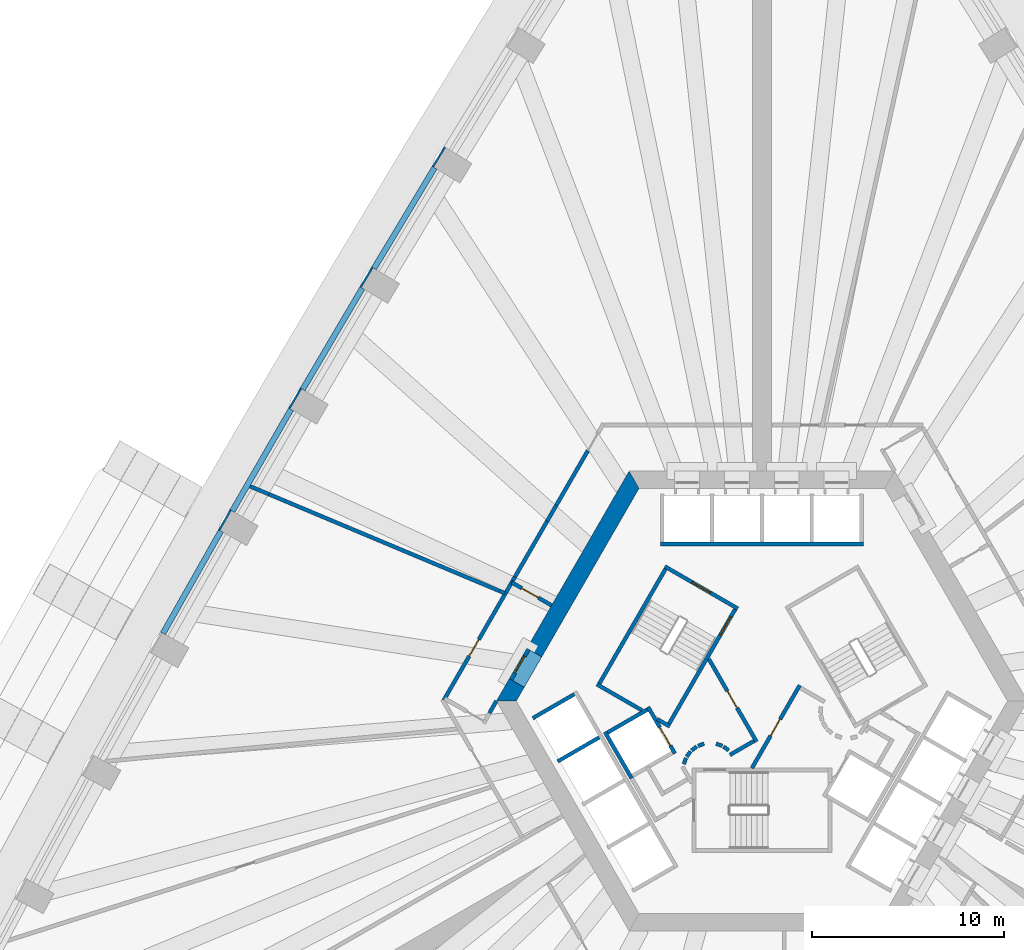
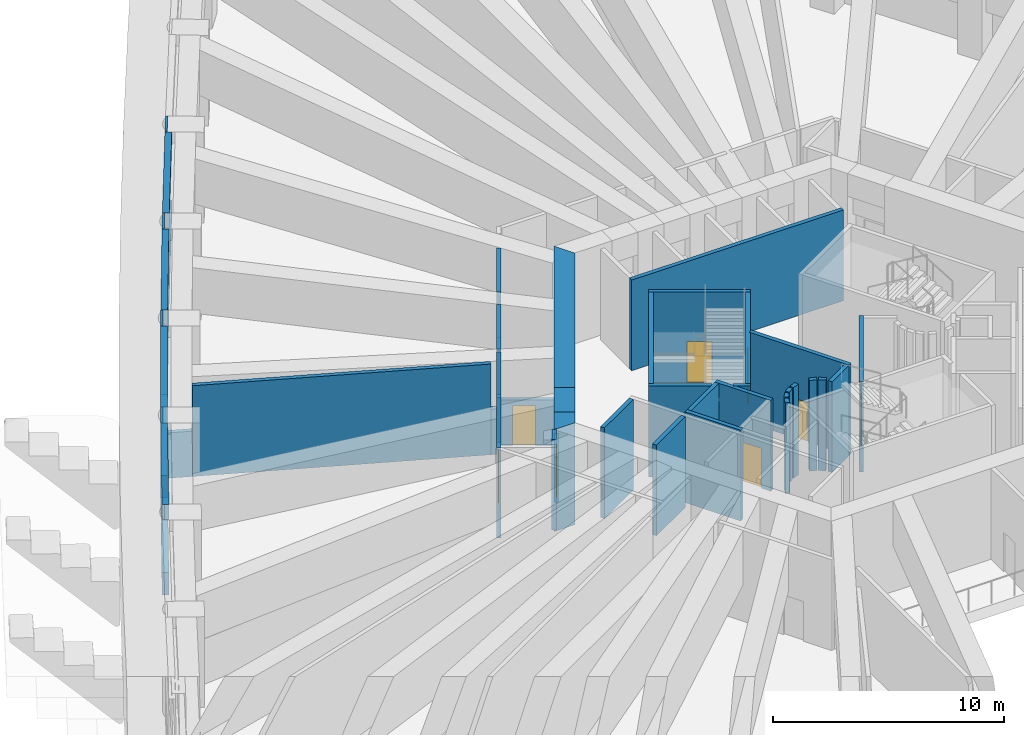
# One storey, part 7 of 21: 46 walls, 8 doors, 8 openings.
"""IFC4 building model written with IfcOpenShell, lengths in metres."""

from ifc_helpers import new_model, si_unit, direction, frame, frame_2d, origin, place, context, subcontext, project, spatial, polyline, rectangle, outline, extrude, material, layer, layer_set, type_object, element, fill, save


model = new_model("IFC4")

# Units and contexts
model_context = context("Model", 3, precision=1e-05, world=origin(), true_north=direction((0.0, 1.0)))
body_context = subcontext(model_context, "Body", "Model", "MODEL_VIEW")
ifc_project = project(units=[si_unit("LENGTHUNIT", "METRE"), si_unit("AREAUNIT", "SQUARE_METRE"), si_unit("VOLUMEUNIT", "CUBIC_METRE"), si_unit("PLANEANGLEUNIT", "RADIAN"), si_unit("MASSUNIT", "GRAM", prefix="KILO")], contexts=[model_context])

# Site, building, storey
site_placement = place(None, origin())
site = spatial("IfcSite", under=ifc_project, at=site_placement, CompositionType="ELEMENT")
building_placement = place(site_placement, origin())
building = spatial("IfcBuilding", under=site, at=building_placement, Name="Entoto Arch Interchange Tower", CompositionType="ELEMENT")
storey_placement = place(building_placement, frame((0.0, 0.0, 81.199951171875)))
storey = spatial("IfcBuildingStorey", under=building, at=storey_placement, Name="L17", CompositionType="ELEMENT", Elevation=81.199951171875)

# Wall, opening, door
ifc_material_1 = material(Name="Reinforced concrete C40/50", Category="concrete")
ifc_layer_1 = layer(ifc_material_1, 0.199951171875)
ifc_layer_set_1 = layer_set([ifc_layer_1], Name="Reinforced concrete C40/50")
wall_type_1 = type_object("IfcWallType", Name="CORE GAP INFILL WALL", PredefinedType="PARTITIONING", material=ifc_layer_set_1)
wall_1_placement = place(storey_placement, frame((-12.180908203125, 5.201904296875, 0.0), z_axis=(0.0, 0.0, 1.0), x_axis=(-0.500215337403, -0.865901042976, 0.0)))
wall_1 = element("IfcWall", 1, at=wall_1_placement, inside=storey, type_object=wall_type_1, Name="wall:L17:gap3", PredefinedType="PARTITIONING", context=body_context, shape_type="SweptSolid", body=[
    extrude(rectangle(XDim=1.829345703125, YDim=0.199951171875, at=frame_2d((0.91455078125, 0.0))), origin(), (0.0, 0.0, 1.0), 2.400146484375),
])
opening_1_placement = place(wall_1_placement, frame((0.4150390625, 0.0, 0.0)))
opening_1 = element("IfcOpeningElement", 2, at=opening_1_placement, cuts=wall_1, Name="Opening L17-D93", PredefinedType="OPENING", context=body_context, shape_type="SweptSolid", body=[
    extrude(rectangle(XDim=1.0, YDim=2.10009765625, at=frame_2d((0.5, 1.050048828125))), frame((0.0, 0.10986328125, 0.0), z_axis=(0.0, -1.0, 0.0), x_axis=(1.0, 0.0, 0.0)), (0.0, 0.0, 1.0), 0.219970703125),
])
ifc_material_2 = material(Name="Fire-rated Steel S235 door and frame", Category="steel")
door_type_1 = type_object("IfcDoorType", Name="DOOR FD-10 1000x2100", OperationType="SINGLE_SWING_LEFT", PredefinedType="DOOR", material=ifc_material_2)
door_1_placement = place(opening_1_placement, origin())
door_1 = element("IfcDoor", 3, at=door_1_placement, inside=storey, type_object=door_type_1, Name="door:L17:gap3", OperationType="SINGLE_SWING_LEFT", OverallHeight=2.10009765625, OverallWidth=1.0, PredefinedType="DOOR", context=body_context, shape_type="SweptSolid", body=[
    extrude(rectangle(XDim=1.0, YDim=2.10009765625, at=frame_2d((0.5, 1.050048828125))), frame((0.0, 0.02490234375, 0.0), z_axis=(0.0, -1.0, 0.0), x_axis=(1.0, 0.0, 0.0)), (0.0, 0.0, 1.0), 0.050048828125),
])
fill(opening_1, door_1)

# Walls
ifc_material_3 = material(Name="Concrete C60/75", Category="concrete")
ifc_layer_2 = layer(ifc_material_3, 0.89990234375)
ifc_layer_set_2 = layer_set([ifc_layer_2], Name="Concrete C60/75")
wall_type_2 = type_object("IfcWallType", Name="Core wall 900 C60/75", PredefinedType="SHEAR", material=ifc_layer_set_2)
wall_2_placement = place(storey_placement, frame((0.0, 0.0, -0.599853515625)))
element("IfcWall", 4, at=wall_2_placement, inside=storey, type_object=wall_type_2, Name="Core wall NW L17", PredefinedType="SHEAR", context=body_context, shape_type="SweptSolid", body=[
    extrude(outline(polyline([(-12.26708984375, 5.251953125), (-11.488037109375, 4.802001953125), (-6.408935546875, 13.60009765625), (-6.927978515625, 14.5), (-12.26708984375, 5.251953125)])), origin(), (0.0, 0.0, 1.0), 5.39990234375),
])
wall_3_placement = place(storey_placement, frame((0.0, 0.0, -0.599853515625)))
element("IfcWall", 5, at=wall_3_placement, inside=storey, type_object=wall_type_2, Name="Core wall NW L17", PredefinedType="SHEAR", context=body_context, shape_type="SweptSolid", body=[
    extrude(outline(polyline([(-12.403076171875, 3.217041015625), (-13.181884765625, 3.6669921875), (-13.85595703125, 2.5), (-12.81689453125, 2.5), (-12.403076171875, 3.217041015625)])), origin(), (0.0, 0.0, 1.0), 5.39990234375),
])
wall_4_placement = place(storey_placement, frame((0.0, 0.0, 3.60009765625)))
element("IfcWall", 6, at=wall_4_placement, inside=storey, type_object=wall_type_2, Name="Core wall lintel NW L17", PredefinedType="SHEAR", context=body_context, shape_type="SweptSolid", body=[
    extrude(outline(polyline([(-13.181884765625, 3.6669921875), (-12.403076171875, 3.217041015625), (-11.488037109375, 4.802001953125), (-12.26708984375, 5.251953125), (-13.181884765625, 3.6669921875)])), origin(), (0.0, 0.0, 1.0), 1.199951171875),
])
ifc_material_4 = material(Name="Concrete C40/50", Category="concrete")
ifc_layer_3 = layer(ifc_material_4, 0.199951171875)
ifc_layer_set_3 = layer_set([ifc_layer_3], Name="Concrete C40/50")
wall_type_3 = type_object("IfcWallType", Name="LIFT SHAFT WALL 200", PredefinedType="STANDARD", material=ifc_layer_set_3)
wall_5_placement = place(storey_placement, frame((5.300048828125, 10.699951171875, 0.0), z_axis=(0.0, 0.0, 1.0), x_axis=(-1.0, 0.0, 0.0)))
element("IfcWall", 7, at=wall_5_placement, inside=storey, type_object=wall_type_3, Name="Shaft wall N3 front", PredefinedType="STANDARD", context=body_context, shape_type="SweptSolid", body=[
    extrude(rectangle(XDim=10.60009765625, YDim=0.199951171875, at=frame_2d((5.300048828125, 0.0))), origin(), (0.0, 0.0, 1.0), 4.800048828125),
])

# Wall, opening, door
wall_6_placement = place(storey_placement, frame((-5.93994140625, 2.18798828125, 0.0), z_axis=(0.0, 0.0, 1.0), x_axis=(0.49994636267, -0.866056369097, 0.0)))
wall_6 = element("IfcWall", 8, at=wall_6_placement, inside=storey, type_object=wall_type_3, Name="Shaft wall SW1 front", PredefinedType="STANDARD", context=body_context, shape_type="SweptSolid", body=[
    extrude(rectangle(XDim=2.800048828125, YDim=0.199951171875, at=frame_2d((1.39990234375, 0.0))), origin(), (0.0, 0.0, 1.0), 4.800048828125),
])
opening_2_placement = place(wall_6_placement, frame((1.22509765625, 0.0, 0.0)))
opening_2 = element("IfcOpeningElement", 9, at=opening_2_placement, cuts=wall_6, Name="Opening LD-FF2-L17", PredefinedType="OPENING", context=body_context, shape_type="SweptSolid", body=[
    extrude(rectangle(XDim=1.10009765625, YDim=2.10009765625, at=frame_2d((0.550048828125, 1.050048828125))), frame((0.0, 0.10986328125, 0.0), z_axis=(0.0, -1.0, 0.0), x_axis=(1.0, 0.0, 0.0)), (0.0, 0.0, 1.0), 0.219970703125),
])
ifc_material_5 = material(Name="Stainless steel 1.4301 panels", Category="steel")
door_type_2 = type_object("IfcDoorType", Name="LIFT LANDING DOOR LD1 1100x2100", OperationType="SLIDING_TO_LEFT", PredefinedType="DOOR", material=ifc_material_5)
door_2_placement = place(opening_2_placement, origin())
door_2 = element("IfcDoor", 10, at=door_2_placement, inside=storey, type_object=door_type_2, Name="Lift landing door FF2 L17", OperationType="SLIDING_TO_LEFT", OverallHeight=2.10009765625, OverallWidth=1.10009765625, PredefinedType="DOOR", context=body_context, shape_type="SweptSolid", body=[
    extrude(rectangle(XDim=1.10009765625, YDim=2.10009765625, at=frame_2d((0.550048828125, 1.050048828125))), frame((0.0, 0.02490234375, 0.0), z_axis=(0.0, -1.0, 0.0), x_axis=(1.0, 0.0, 0.0)), (0.0, 0.0, 1.0), 0.050048828125),
])
fill(opening_2, door_2)

# Walls
wall_7_placement = place(storey_placement, frame((-8.19189453125, 0.887939453125, 0.0), z_axis=(0.0, 0.0, 1.0), x_axis=(0.49994636267, -0.866056369097, 0.0)))
element("IfcWall", 11, at=wall_7_placement, inside=storey, type_object=wall_type_3, Name="Shaft wall SW1 back", PredefinedType="STANDARD", context=body_context, shape_type="SweptSolid", body=[
    extrude(rectangle(XDim=2.800048828125, YDim=0.199951171875, at=frame_2d((1.39990234375, 0.0))), origin(), (0.0, 0.0, 1.0), 4.800048828125),
])
wall_8_placement = place(storey_placement, frame((-5.97705078125, 2.052001953125, 0.0), z_axis=(0.0, 0.0, 1.0), x_axis=(-0.865973769406, -0.500089422704, 0.0)))
element("IfcWall", 12, at=wall_8_placement, inside=storey, type_object=wall_type_3, Name="Shaft wall SW1 cross 1", PredefinedType="STANDARD", context=body_context, shape_type="SweptSolid", body=[
    extrude(rectangle(XDim=2.3994140625, YDim=0.199951171875, at=frame_2d((1.19970703125, 0.0))), origin(), (0.0, 0.0, 1.0), 4.800048828125),
])
wall_9_placement = place(storey_placement, frame((-9.7880859375, 2.85302734375, 0.0), z_axis=(0.0, 0.0, 1.0), x_axis=(-0.865998541277, -0.500046524342, 0.0)))
element("IfcWall", 13, at=wall_9_placement, inside=storey, type_object=wall_type_3, Name="Shaft wall SW3 cross 1", PredefinedType="STANDARD", context=body_context, shape_type="SweptSolid", body=[
    extrude(rectangle(XDim=2.499755859375, YDim=0.199951171875, at=frame_2d((1.25, 0.0))), origin(), (0.0, 0.0, 1.0), 4.800048828125),
])
wall_10_placement = place(storey_placement, frame((-8.488037109375, 0.60205078125, 0.0), z_axis=(0.0, 0.0, 1.0), x_axis=(-0.866022959057, -0.500004234368, 0.0)))
element("IfcWall", 14, at=wall_10_placement, inside=storey, type_object=wall_type_3, Name="Shaft wall SW3 cross 2", PredefinedType="STANDARD", context=body_context, shape_type="SweptSolid", body=[
    extrude(rectangle(XDim=2.5, YDim=0.199951171875, at=frame_2d((1.25, 0.0))), origin(), (0.0, 0.0, 1.0), 4.800048828125),
])

# Wall, opening, door
ifc_material_6 = material(Name="Gypsum board partition on steel studs", Category="steel")
ifc_layer_4 = layer(ifc_material_6, 0.199951171875)
ifc_layer_set_4 = layer_set([ifc_layer_4], Name="Gypsum board partition on steel studs")
wall_type_4 = type_object("IfcWallType", Name="PARTITION 200", PredefinedType="PARTITIONING", material=ifc_layer_set_4)
wall_11_placement = place(storey_placement, frame((-0.52001953125, -1.0, 0.0), z_axis=(0.0, 0.0, 1.0), x_axis=(0.50011622646, 0.865958290007, 0.0)))
wall_11 = element("IfcWall", 15, at=wall_11_placement, inside=storey, type_object=wall_type_4, Name="wall:L17:p018", PredefinedType="PARTITIONING", context=body_context, shape_type="SweptSolid", body=[
    extrude(rectangle(XDim=4.990966796875, YDim=0.199951171875, at=frame_2d((2.49560546875, 0.0))), origin(), (0.0, 0.0, 1.0), 4.800048828125),
])
opening_3_placement = place(wall_11_placement, frame((1.945068359375, 0.0, 0.0)))
opening_3 = element("IfcOpeningElement", 16, at=opening_3_placement, cuts=wall_11, Name="Opening L17-D20", PredefinedType="OPENING", context=body_context, shape_type="SweptSolid", body=[
    extrude(rectangle(XDim=1.0, YDim=2.10009765625, at=frame_2d((0.5, 1.050048828125))), frame((0.0, 0.10986328125, 0.0), z_axis=(0.0, -1.0, 0.0), x_axis=(1.0, 0.0, 0.0)), (0.0, 0.0, 1.0), 0.219970703125),
])
door_3_placement = place(opening_3_placement, origin())
door_3 = element("IfcDoor", 17, at=door_3_placement, inside=storey, type_object=door_type_1, Name="door:L17:20", OperationType="SINGLE_SWING_LEFT", OverallHeight=2.10009765625, OverallWidth=1.0, PredefinedType="DOOR", context=body_context, shape_type="SweptSolid", body=[
    extrude(rectangle(XDim=1.0, YDim=2.10009765625, at=frame_2d((0.5, 1.050048828125))), frame((0.0, 0.02490234375, 0.0), z_axis=(0.0, -1.0, 0.0), x_axis=(1.0, 0.0, 0.0)), (0.0, 0.0, 1.0), 0.050048828125),
])
fill(opening_3, door_3)

# Walls
wall_12_placement = place(storey_placement, frame((-0.412109375, 0.4140625, 0.0), z_axis=(0.0, 0.0, 1.0), x_axis=(-0.866017369001, -0.500013916395, 0.0)))
element("IfcWall", 18, at=wall_12_placement, inside=storey, type_object=wall_type_4, Name="wall:L17:p020", PredefinedType="PARTITIONING", context=body_context, shape_type="SweptSolid", body=[
    extrude(rectangle(XDim=1.4501953125, YDim=0.199951171875, at=frame_2d((0.72509765625, 0.0))), origin(), (0.0, 0.0, 1.0), 4.800048828125),
])
wall_13_placement = place(storey_placement, frame((-1.73095703125, -0.076904296875, 0.0), z_axis=(0.0, 0.0, 1.0), x_axis=(-0.804311165252, 0.594208338422, 0.0)))
element("IfcWall", 19, at=wall_13_placement, inside=storey, type_object=wall_type_4, Name="wall:L17:p021", PredefinedType="PARTITIONING", context=body_context, shape_type="SweptSolid", body=[
    extrude(rectangle(XDim=0.338134765625, YDim=0.199951171875, at=frame_2d((0.1689453125, 0.0))), origin(), (0.0, 0.0, 1.0), 4.800048828125),
])
wall_14_placement = place(storey_placement, frame((-2.070068359375, 0.159912109375, 0.0), z_axis=(0.0, 0.0, 1.0), x_axis=(-0.942199461132, 0.335052496547, 0.0)))
element("IfcWall", 20, at=wall_14_placement, inside=storey, type_object=wall_type_4, Name="wall:L17:p022", PredefinedType="PARTITIONING", context=body_context, shape_type="SweptSolid", body=[
    extrude(rectangle(XDim=0.33740234375, YDim=0.199951171875, at=frame_2d((0.168701171875, 0.0))), origin(), (0.0, 0.0, 1.0), 4.800048828125),
])
wall_15_placement = place(storey_placement, frame((-3.011962890625, 0.27294921875, 0.0), z_axis=(0.0, 0.0, 1.0), x_axis=(-0.942280615813, -0.334824194261, 0.0)))
element("IfcWall", 21, at=wall_15_placement, inside=storey, type_object=wall_type_4, Name="wall:L17:p023", PredefinedType="PARTITIONING", context=body_context, shape_type="SweptSolid", body=[
    extrude(rectangle(XDim=0.337646484375, YDim=0.199951171875, at=frame_2d((0.1689453125, 0.0))), origin(), (0.0, 0.0, 1.0), 4.800048828125),
])
wall_16_placement = place(storey_placement, frame((-3.39697265625, 0.1240234375, 0.0), z_axis=(0.0, 0.0, 1.0), x_axis=(-0.804311165252, -0.594208338422, 0.0)))
element("IfcWall", 22, at=wall_16_placement, inside=storey, type_object=wall_type_4, Name="wall:L17:p024", PredefinedType="PARTITIONING", context=body_context, shape_type="SweptSolid", body=[
    extrude(rectangle(XDim=0.338134765625, YDim=0.199951171875, at=frame_2d((0.1689453125, 0.0))), origin(), (0.0, 0.0, 1.0), 4.800048828125),
])
wall_17_placement = place(storey_placement, frame((-3.722900390625, -0.131103515625, 0.0), z_axis=(0.0, 0.0, 1.0), x_axis=(-0.594675113454, -0.803966112121, 0.0)))
element("IfcWall", 23, at=wall_17_placement, inside=storey, type_object=wall_type_4, Name="wall:L17:p025", PredefinedType="PARTITIONING", context=body_context, shape_type="SweptSolid", body=[
    extrude(rectangle(XDim=0.33837890625, YDim=0.199951171875, at=frame_2d((0.169189453125, 0.0))), origin(), (0.0, 0.0, 1.0), 4.800048828125),
])
wall_18_placement = place(storey_placement, frame((-3.9599609375, -0.469970703125, 0.0), z_axis=(0.0, 0.0, 1.0), x_axis=(-0.334824194261, -0.942280615813, 0.0)))
element("IfcWall", 24, at=wall_18_placement, inside=storey, type_object=wall_type_4, Name="wall:L17:p026", PredefinedType="PARTITIONING", context=body_context, shape_type="SweptSolid", body=[
    extrude(rectangle(XDim=0.337646484375, YDim=0.199951171875, at=frame_2d((0.1689453125, 0.0))), origin(), (0.0, 0.0, 1.0), 4.800048828125),
])

# Wall, opening, door
wall_19_placement = place(storey_placement, frame((-2.77099609375, 4.699951171875, 0.0), z_axis=(0.0, 0.0, 1.0), x_axis=(0.499969479948, -0.866043023828, 0.0)))
wall_19 = element("IfcWall", 25, at=wall_19_placement, inside=storey, type_object=wall_type_4, Name="wall:L17:p027", PredefinedType="PARTITIONING", context=body_context, shape_type="SweptSolid", body=[
    extrude(rectangle(XDim=4.990478515625, YDim=0.199951171875, at=frame_2d((2.4951171875, 0.0))), origin(), (0.0, 0.0, 1.0), 4.800048828125),
])
opening_4_placement = place(wall_19_placement, frame((1.945068359375, 0.0, 0.0)))
opening_4 = element("IfcOpeningElement", 26, at=opening_4_placement, cuts=wall_19, Name="Opening L17-D21", PredefinedType="OPENING", context=body_context, shape_type="SweptSolid", body=[
    extrude(rectangle(XDim=1.0, YDim=2.10009765625, at=frame_2d((0.5, 1.050048828125))), frame((0.0, 0.10986328125, 0.0), z_axis=(0.0, -1.0, 0.0), x_axis=(1.0, 0.0, 0.0)), (0.0, 0.0, 1.0), 0.219970703125),
])
door_4_placement = place(opening_4_placement, origin())
door_4 = element("IfcDoor", 27, at=door_4_placement, inside=storey, type_object=door_type_1, Name="door:L17:21", OperationType="SINGLE_SWING_RIGHT", OverallHeight=2.10009765625, OverallWidth=1.0, PredefinedType="DOOR", context=body_context, shape_type="SweptSolid", body=[
    extrude(rectangle(XDim=1.0, YDim=2.10009765625, at=frame_2d((0.5, 1.050048828125))), frame((0.0, 0.02490234375, 0.0), z_axis=(0.0, -1.0, 0.0), x_axis=(1.0, 0.0, 0.0)), (0.0, 0.0, 1.0), 0.050048828125),
])
fill(opening_4, door_4)

wall_20_placement = place(storey_placement, frame((-13.052978515625, 8.69091796875, 0.0), z_axis=(0.0, 0.0, 1.0), x_axis=(0.865973769406, -0.500089422704, 0.0)))
wall_20 = element("IfcWall", 28, at=wall_20_placement, inside=storey, type_object=wall_type_4, Name="wall:L17:p062", PredefinedType="PARTITIONING", context=body_context, shape_type="SweptSolid", body=[
    extrude(rectangle(XDim=2.3994140625, YDim=0.199951171875, at=frame_2d((1.19970703125, 0.0))), origin(), (0.0, 0.0, 1.0), 2.400146484375),
])
opening_5_placement = place(wall_20_placement, frame((0.60009765625, 0.0, 0.0)))
opening_5 = element("IfcOpeningElement", 29, at=opening_5_placement, cuts=wall_20, Name="Opening L17-D12", PredefinedType="OPENING", context=body_context, shape_type="SweptSolid", body=[
    extrude(rectangle(XDim=1.0, YDim=2.10009765625, at=frame_2d((0.5, 1.050048828125))), frame((0.0, 0.10986328125, 0.0), z_axis=(0.0, -1.0, 0.0), x_axis=(1.0, 0.0, 0.0)), (0.0, 0.0, 1.0), 0.219970703125),
])
door_5_placement = place(opening_5_placement, origin())
door_5 = element("IfcDoor", 30, at=door_5_placement, inside=storey, type_object=door_type_1, Name="door:L17:12", OperationType="SINGLE_SWING_RIGHT", OverallHeight=2.10009765625, OverallWidth=1.0, PredefinedType="DOOR", context=body_context, shape_type="SweptSolid", body=[
    extrude(rectangle(XDim=1.0, YDim=2.10009765625, at=frame_2d((0.5, 1.050048828125))), frame((0.0, 0.02490234375, 0.0), z_axis=(0.0, -1.0, 0.0), x_axis=(1.0, 0.0, 0.0)), (0.0, 0.0, 1.0), 0.050048828125),
])
fill(opening_5, door_5)

# Wall
wall_21_placement = place(storey_placement, frame((-13.85595703125, 2.5009765625, 0.0), z_axis=(0.0, 0.0, 1.0), x_axis=(-0.500327511442, -0.865836232376, 0.0)))
element("IfcWall", 31, at=wall_21_placement, inside=storey, type_object=wall_type_4, Name="wall:L17:p063", PredefinedType="PARTITIONING", context=body_context, shape_type="SweptSolid", body=[
    extrude(rectangle(XDim=0.7333984375, YDim=0.199951171875, at=frame_2d((0.36669921875, 0.0))), origin(), (0.0, 0.0, 1.0), 4.800048828125),
])

# Wall, opening, door
wall_22_placement = place(storey_placement, frame((-16.60302734375, 2.5419921875, 0.0), z_axis=(0.0, 0.0, 1.0), x_axis=(0.499968011863, 0.866043871356, 0.0)))
wall_22 = element("IfcWall", 32, at=wall_22_placement, inside=storey, type_object=wall_type_4, Name="wall:L17:p065", PredefinedType="PARTITIONING", context=body_context, shape_type="SweptSolid", body=[
    extrude(rectangle(XDim=7.20068359375, YDim=0.199951171875, at=frame_2d((3.600341796875, 0.0))), origin(), (0.0, 0.0, 1.0), 4.800048828125),
])
opening_6_placement = place(wall_22_placement, frame((2.654052734375, 0.0, 0.0)))
opening_6 = element("IfcOpeningElement", 33, at=opening_6_placement, cuts=wall_22, Name="Opening L17-D14", PredefinedType="OPENING", context=body_context, shape_type="SweptSolid", body=[
    extrude(rectangle(XDim=1.0, YDim=2.10009765625, at=frame_2d((0.5, 1.050048828125))), frame((0.0, 0.10986328125, 0.0), z_axis=(0.0, -1.0, 0.0), x_axis=(1.0, 0.0, 0.0)), (0.0, 0.0, 1.0), 0.219970703125),
])
door_6_placement = place(opening_6_placement, origin())
door_6 = element("IfcDoor", 34, at=door_6_placement, inside=storey, type_object=door_type_1, Name="door:L17:14", OperationType="SINGLE_SWING_RIGHT", OverallHeight=2.10009765625, OverallWidth=1.0, PredefinedType="DOOR", context=body_context, shape_type="SweptSolid", body=[
    extrude(rectangle(XDim=1.0, YDim=2.10009765625, at=frame_2d((0.5, 1.050048828125))), frame((0.0, 0.02490234375, 0.0), z_axis=(0.0, -1.0, 0.0), x_axis=(1.0, 0.0, 0.0)), (0.0, 0.0, 1.0), 0.050048828125),
])
fill(opening_6, door_6)

# Walls
wall_23_placement = place(storey_placement, frame((-13.0029296875, 8.778076171875, 0.0), z_axis=(0.0, 0.0, 1.0), x_axis=(0.49939147885, 0.866376448694, 0.0)))
element("IfcWall", 35, at=wall_23_placement, inside=storey, type_object=wall_type_4, Name="wall:L17:p066", PredefinedType="PARTITIONING", context=body_context, shape_type="SweptSolid", body=[
    extrude(rectangle(XDim=0.234130859375, YDim=0.199951171875, at=frame_2d((0.1171875, 0.0))), origin(), (0.0, 0.0, 1.0), 2.400146484375),
])
wall_24_placement = place(storey_placement, frame((-26.717041015625, 13.70703125, 0.0), z_axis=(0.0, 0.0, 1.0), x_axis=(0.922149767817, -0.386833046307, 0.0)))
element("IfcWall", 36, at=wall_24_placement, inside=storey, type_object=wall_type_4, Name="wall:L17:p069", PredefinedType="PARTITIONING", context=body_context, shape_type="SweptSolid", body=[
    extrude(rectangle(XDim=1.0703125, YDim=0.199951171875, at=frame_2d((0.53515625, 0.0))), origin(), (0.0, 0.0, 1.0), 2.400146484375),
])
wall_25_placement = place(storey_placement, frame((-12.885986328125, 8.98095703125, 0.0), z_axis=(0.0, 0.0, 1.0), x_axis=(0.500018952895, 0.866014461049, 0.0)))
element("IfcWall", 37, at=wall_25_placement, inside=storey, type_object=wall_type_4, Name="wall:L17:p066", PredefinedType="PARTITIONING", context=body_context, shape_type="SweptSolid", body=[
    extrude(rectangle(XDim=3.349853515625, YDim=0.199951171875, at=frame_2d((1.6748046875, 0.0))), origin(), (0.0, 0.0, 1.0), 4.800048828125),
])
wall_26_placement = place(storey_placement, frame((-11.2109375, 11.882080078125, 0.0), z_axis=(0.0, 0.0, 1.0), x_axis=(0.499693115345, 0.866202511239, 0.0)))
element("IfcWall", 38, at=wall_26_placement, inside=storey, type_object=wall_type_4, Name="wall:L17:p066", PredefinedType="PARTITIONING", context=body_context, shape_type="SweptSolid", body=[
    extrude(rectangle(XDim=0.96044921875, YDim=0.199951171875, at=frame_2d((0.480224609375, 0.0))), origin(), (0.0, 0.0, 1.0), 2.400146484375),
])
wall_27_placement = place(storey_placement, frame((-10.73095703125, 12.714111328125, 0.0), z_axis=(0.0, 0.0, 1.0), x_axis=(0.500043078269, 0.866000531106, 0.0)))
element("IfcWall", 39, at=wall_27_placement, inside=storey, type_object=wall_type_4, Name="wall:L17:p066", PredefinedType="PARTITIONING", context=body_context, shape_type="SweptSolid", body=[
    extrude(rectangle(XDim=3.295654296875, YDim=0.199951171875, at=frame_2d((1.64794921875, 0.0))), origin(), (0.0, 0.0, 1.0), 4.800048828125),
])
wall_28_placement = place(storey_placement, frame((-25.72998046875, 13.29296875, 0.0), z_axis=(0.0, 0.0, 1.0), x_axis=(0.922164650021, -0.386797567535, 0.0)))
element("IfcWall", 40, at=wall_28_placement, inside=storey, type_object=wall_type_4, Name="wall:L17:p069", PredefinedType="PARTITIONING", context=body_context, shape_type="SweptSolid", body=[
    extrude(rectangle(XDim=13.037841796875, YDim=0.199951171875, at=frame_2d((6.51904296875, 0.0))), origin(), (0.0, 0.0, 1.0), 4.800048828125),
])
wall_29_placement = place(storey_placement, frame((-13.70703125, 8.25, 0.0), z_axis=(0.0, 0.0, 1.0), x_axis=(0.921982105607, -0.387232484355, 0.0)))
element("IfcWall", 41, at=wall_29_placement, inside=storey, type_object=wall_type_4, Name="wall:L17:p069", PredefinedType="PARTITIONING", context=body_context, shape_type="SweptSolid", body=[
    extrude(rectangle(XDim=0.31787109375, YDim=0.199951171875, at=frame_2d((0.158935546875, 0.0))), origin(), (0.0, 0.0, 1.0), 2.400146484375),
])
ifc_material_7 = material(Name="Board-marked precast concrete C50/60", Category="concrete")
ifc_layer_5 = layer(ifc_material_7, 0.10009765625)
ifc_layer_set_5 = layer_set([ifc_layer_5], Name="Board-marked precast concrete C50/60")
wall_type_5 = type_object("IfcWallType", Name="PRECAST FRAME WALL 100", PredefinedType="STANDARD", material=ifc_layer_set_5)
wall_30_placement = place(storey_placement, frame((-16.5419921875, 31.412109375, 0.0), z_axis=(0.0, 0.0, 1.0), x_axis=(-0.521507599072, -0.853246637327, 0.0)))
element("IfcWall", 42, at=wall_30_placement, inside=storey, type_object=wall_type_5, Name="Frame pier NW03 L17", PredefinedType="STANDARD", context=body_context, shape_type="SweptSolid", body=[
    extrude(rectangle(XDim=1.200439453125, YDim=0.10009765625, at=frame_2d((0.60009765625, 0.0))), origin(), (0.0, 0.0, 1.0), 4.800048828125),
])
wall_31_placement = place(storey_placement, frame((-20.325927734375, 25.1298828125, 0.0), z_axis=(0.0, 0.0, 1.0), x_axis=(-0.513328378832, -0.858192271863, 0.0)))
element("IfcWall", 43, at=wall_31_placement, inside=storey, type_object=wall_type_5, Name="Frame pier NW04 L17", PredefinedType="STANDARD", context=body_context, shape_type="SweptSolid", body=[
    extrude(rectangle(XDim=1.199951171875, YDim=0.10009765625, at=frame_2d((0.60009765625, 0.0))), origin(), (0.0, 0.0, 1.0), 4.800048828125),
])
wall_32_placement = place(storey_placement, frame((-24.053955078125, 18.81396484375, 0.0), z_axis=(0.0, 0.0, 1.0), x_axis=(-0.504313844903, -0.863520437418, 0.0)))
element("IfcWall", 44, at=wall_32_placement, inside=storey, type_object=wall_type_5, Name="Frame pier NW05 L17", PredefinedType="STANDARD", context=body_context, shape_type="SweptSolid", body=[
    extrude(rectangle(XDim=1.19970703125, YDim=0.10009765625, at=frame_2d((0.599853515625, 0.0))), origin(), (0.0, 0.0, 1.0), 4.800048828125),
])
wall_33_placement = place(storey_placement, frame((-27.72607421875, 12.466064453125, 0.0), z_axis=(0.0, 0.0, 1.0), x_axis=(-0.495854054996, -0.868405870629, 0.0)))
element("IfcWall", 45, at=wall_33_placement, inside=storey, type_object=wall_type_5, Name="Frame pier NW06 L17", PredefinedType="STANDARD", context=body_context, shape_type="SweptSolid", body=[
    extrude(rectangle(XDim=1.199951171875, YDim=0.10009765625, at=frame_2d((0.60009765625, 0.0))), origin(), (0.0, 0.0, 1.0), 4.800048828125),
])
ifc_layer_6 = layer(ifc_material_7, 0.300048828125)
ifc_layer_set_6 = layer_set([ifc_layer_6], Name="Board-marked precast concrete C50/60")
wall_type_6 = type_object("IfcWallType", Name="PRECAST FRAME WALL 300", PredefinedType="STANDARD", material=ifc_layer_set_6)
wall_34_placement = place(storey_placement, frame((-17.0791015625, 30.333984375, 0.0), z_axis=(0.0, 0.0, 1.0), x_axis=(-0.515291535196, -0.857014955386, 0.0)))
element("IfcWall", 46, at=wall_34_placement, inside=storey, type_object=wall_type_6, Name="Frame sill wall NW-03 L17", PredefinedType="STANDARD", context=body_context, shape_type="SweptSolid", body=[
    extrude(rectangle(XDim=6.13427734375, YDim=0.300048828125, at=frame_2d((3.067138671875, 0.0))), origin(), (0.0, 0.0, 1.0), 1.199951171875),
])
wall_35_placement = place(storey_placement, frame((-17.0791015625, 30.333984375, 4.0), z_axis=(0.0, 0.0, 1.0), x_axis=(-0.515291535196, -0.857014955386, 0.0)))
element("IfcWall", 47, at=wall_35_placement, inside=storey, type_object=wall_type_6, Name="Frame head wall NW-03 L17", PredefinedType="STANDARD", context=body_context, shape_type="SweptSolid", body=[
    extrude(rectangle(XDim=6.13427734375, YDim=0.300048828125, at=frame_2d((3.067138671875, 0.0))), origin(), (0.0, 0.0, 1.0), 0.800048828125),
])
wall_36_placement = place(storey_placement, frame((-20.85205078125, 24.048095703125, 0.0), z_axis=(0.0, 0.0, 1.0), x_axis=(-0.507498222671, -0.86165280362, 0.0)))
element("IfcWall", 48, at=wall_36_placement, inside=storey, type_object=wall_type_6, Name="Frame sill wall NW-04 L17", PredefinedType="STANDARD", context=body_context, shape_type="SweptSolid", body=[
    extrude(rectangle(XDim=6.135986328125, YDim=0.300048828125, at=frame_2d((3.06787109375, 0.0))), origin(), (0.0, 0.0, 1.0), 1.199951171875),
])
wall_37_placement = place(storey_placement, frame((-20.85205078125, 24.048095703125, 4.0), z_axis=(0.0, 0.0, 1.0), x_axis=(-0.507498222671, -0.86165280362, 0.0)))
element("IfcWall", 49, at=wall_37_placement, inside=storey, type_object=wall_type_6, Name="Frame head wall NW-04 L17", PredefinedType="STANDARD", context=body_context, shape_type="SweptSolid", body=[
    extrude(rectangle(XDim=6.135986328125, YDim=0.300048828125, at=frame_2d((3.06787109375, 0.0))), origin(), (0.0, 0.0, 1.0), 0.800048828125),
])
wall_38_placement = place(storey_placement, frame((-24.570068359375, 17.72705078125, 0.0), z_axis=(0.0, 0.0, 1.0), x_axis=(-0.499931451131, -0.866064976875, 0.0)))
element("IfcWall", 50, at=wall_38_placement, inside=storey, type_object=wall_type_6, Name="Frame sill wall NW-05 L17", PredefinedType="STANDARD", context=body_context, shape_type="SweptSolid", body=[
    extrude(rectangle(XDim=6.134521484375, YDim=0.300048828125, at=frame_2d((3.0673828125, 0.0))), origin(), (0.0, 0.0, 1.0), 1.199951171875),
])
wall_39_placement = place(storey_placement, frame((-24.570068359375, 17.72705078125, 4.0), z_axis=(0.0, 0.0, 1.0), x_axis=(-0.499931451131, -0.866064976875, 0.0)))
element("IfcWall", 51, at=wall_39_placement, inside=storey, type_object=wall_type_6, Name="Frame head wall NW-05 L17", PredefinedType="STANDARD", context=body_context, shape_type="SweptSolid", body=[
    extrude(rectangle(XDim=6.134521484375, YDim=0.300048828125, at=frame_2d((3.0673828125, 0.0))), origin(), (0.0, 0.0, 1.0), 0.800048828125),
])
wall_40_placement = place(storey_placement, frame((-28.23193359375, 11.3740234375, 0.0), z_axis=(0.0, 0.0, 1.0), x_axis=(-0.492268362752, -0.870443484112, 0.0)))
element("IfcWall", 52, at=wall_40_placement, inside=storey, type_object=wall_type_6, Name="Frame sill wall NW-06 L17", PredefinedType="STANDARD", context=body_context, shape_type="SweptSolid", body=[
    extrude(rectangle(XDim=6.135009765625, YDim=0.300048828125, at=frame_2d((3.0673828125, 0.0))), origin(), (0.0, 0.0, 1.0), 1.199951171875),
])
wall_41_placement = place(storey_placement, frame((-28.23193359375, 11.3740234375, 4.0), z_axis=(0.0, 0.0, 1.0), x_axis=(-0.492268362752, -0.870443484112, 0.0)))
element("IfcWall", 53, at=wall_41_placement, inside=storey, type_object=wall_type_6, Name="Frame head wall NW-06 L17", PredefinedType="STANDARD", context=body_context, shape_type="SweptSolid", body=[
    extrude(rectangle(XDim=6.135009765625, YDim=0.300048828125, at=frame_2d((3.0673828125, 0.0))), origin(), (0.0, 0.0, 1.0), 0.800048828125),
])

# Wall, opening, door
ifc_layer_7 = layer(ifc_material_4, 0.199951171875)
ifc_layer_set_7 = layer_set([ifc_layer_7], Name="Concrete C40/50")
wall_type_7 = type_object("IfcWallType", Name="STAIR ENCLOSURE WALL 200", PredefinedType="STANDARD", material=ifc_layer_set_7)
wall_42_placement = place(storey_placement, frame((-1.256103515625, 7.323974609375, 0.0), z_axis=(0.0, 0.0, 1.0), x_axis=(-0.866046073146, 0.499964197906, 0.0)))
wall_42 = element("IfcWall", 54, at=wall_42_placement, inside=storey, type_object=wall_type_7, Name="Stair wall ST-NW near", PredefinedType="STANDARD", context=body_context, shape_type="SweptSolid", body=[
    extrude(rectangle(XDim=4.400146484375, YDim=0.199951171875, at=frame_2d((2.2001953125, 0.0))), origin(), (0.0, 0.0, 1.0), 4.800048828125),
])
opening_7_placement = place(wall_42_placement, frame((1.64990234375, 0.0, 0.0)))
opening_7 = element("IfcOpeningElement", 55, at=opening_7_placement, cuts=wall_42, Name="Opening SD-ST-NW-L17-E", PredefinedType="OPENING", context=body_context, shape_type="SweptSolid", body=[
    extrude(rectangle(XDim=1.10009765625, YDim=2.199951171875, at=frame_2d((0.550048828125, 1.10009765625))), frame((0.0, 0.10986328125, 0.0), z_axis=(0.0, -1.0, 0.0), x_axis=(1.0, 0.0, 0.0)), (0.0, 0.0, 1.0), 0.219970703125),
])
ifc_material_8 = material(Name="Steel S235", Category="steel")
door_type_3 = type_object("IfcDoorType", Name="STAIR DOOR SD1 1100x2200", OperationType="SINGLE_SWING_LEFT", PredefinedType="DOOR", material=ifc_material_8)
door_7_placement = place(opening_7_placement, origin())
door_7 = element("IfcDoor", 56, at=door_7_placement, inside=storey, type_object=door_type_3, Name="Stair door ST-NW L17 end", OperationType="SINGLE_SWING_LEFT", OverallHeight=2.199951171875, OverallWidth=1.10009765625, PredefinedType="DOOR", context=body_context, shape_type="SweptSolid", body=[
    extrude(rectangle(XDim=1.10009765625, YDim=2.199951171875, at=frame_2d((0.550048828125, 1.10009765625))), frame((0.0, 0.02490234375, 0.0), z_axis=(0.0, -1.0, 0.0), x_axis=(1.0, 0.0, 0.0)), (0.0, 0.0, 1.0), 0.050048828125),
])
fill(opening_7, door_7)

# Walls
wall_43_placement = place(storey_placement, frame((-6.25, 2.010009765625, 0.0), z_axis=(0.0, 0.0, 1.0), x_axis=(-0.86611865017, 0.499838457731, 0.0)))
element("IfcWall", 57, at=wall_43_placement, inside=storey, type_object=wall_type_7, Name="Stair wall ST-NW far", PredefinedType="STANDARD", context=body_context, shape_type="SweptSolid", body=[
    extrude(rectangle(XDim=2.73291015625, YDim=0.199951171875, at=frame_2d((1.366455078125, 0.0))), origin(), (0.0, 0.0, 1.0), 4.800048828125),
])
wall_44_placement = place(storey_placement, frame((-4.805908203125, 1.176025390625, 0.0), z_axis=(0.0, 0.0, 1.0), x_axis=(-0.866558586415, 0.499075361355, 0.0)))
element("IfcWall", 58, at=wall_44_placement, inside=storey, type_object=wall_type_7, Name="Stair wall ST-NW far return", PredefinedType="STANDARD", context=body_context, shape_type="SweptSolid", body=[
    extrude(rectangle(XDim=0.75146484375, YDim=0.199951171875, at=frame_2d((0.375732421875, 0.0))), origin(), (0.0, 0.0, 1.0), 4.800048828125),
])

# Wall, opening, door
wall_45_placement = place(storey_placement, frame((-1.39306640625, 7.2880859375, 0.0), z_axis=(0.0, 0.0, 1.0), x_axis=(-0.499963383562, -0.866046543262, 0.0)))
wall_45 = element("IfcWall", 59, at=wall_45_placement, inside=storey, type_object=wall_type_7, Name="Stair wall ST-NW hall", PredefinedType="STANDARD", context=body_context, shape_type="SweptSolid", body=[
    extrude(rectangle(XDim=6.900390625, YDim=0.199951171875, at=frame_2d((3.4501953125, 0.0))), origin(), (0.0, 0.0, 1.0), 4.800048828125),
])
opening_8_placement = place(wall_45_placement, frame((0.449951171875, 0.0, 0.0)))
opening_8 = element("IfcOpeningElement", 60, at=opening_8_placement, cuts=wall_45, Name="Opening SD-ST-NW-L17", PredefinedType="OPENING", context=body_context, shape_type="SweptSolid", body=[
    extrude(rectangle(XDim=1.10009765625, YDim=2.199951171875, at=frame_2d((0.550048828125, 1.10009765625))), frame((0.0, 0.10986328125, 0.0), z_axis=(0.0, -1.0, 0.0), x_axis=(1.0, 0.0, 0.0)), (0.0, 0.0, 1.0), 0.219970703125),
])
door_8_placement = place(opening_8_placement, origin())
door_8 = element("IfcDoor", 61, at=door_8_placement, inside=storey, type_object=door_type_3, Name="Stair door ST-NW L17", OperationType="SINGLE_SWING_LEFT", OverallHeight=2.199951171875, OverallWidth=1.10009765625, PredefinedType="DOOR", context=body_context, shape_type="SweptSolid", body=[
    extrude(rectangle(XDim=1.10009765625, YDim=2.199951171875, at=frame_2d((0.550048828125, 1.10009765625))), frame((0.0, 0.02490234375, 0.0), z_axis=(0.0, -1.0, 0.0), x_axis=(1.0, 0.0, 0.0)), (0.0, 0.0, 1.0), 0.050048828125),
])
fill(opening_8, door_8)

# Wall
wall_46_placement = place(storey_placement, frame((-5.030029296875, 9.387939453125, 0.0), z_axis=(0.0, 0.0, 1.0), x_axis=(-0.499978703459, -0.866037698999, 0.0)))
element("IfcWall", 62, at=wall_46_placement, inside=storey, type_object=wall_type_7, Name="Stair wall ST-NW back", PredefinedType="STANDARD", context=body_context, shape_type="SweptSolid", body=[
    extrude(rectangle(XDim=6.900146484375, YDim=0.199951171875, at=frame_2d((3.4501953125, 0.0))), origin(), (0.0, 0.0, 1.0), 4.800048828125),
])

save(model, "model.ifc")
